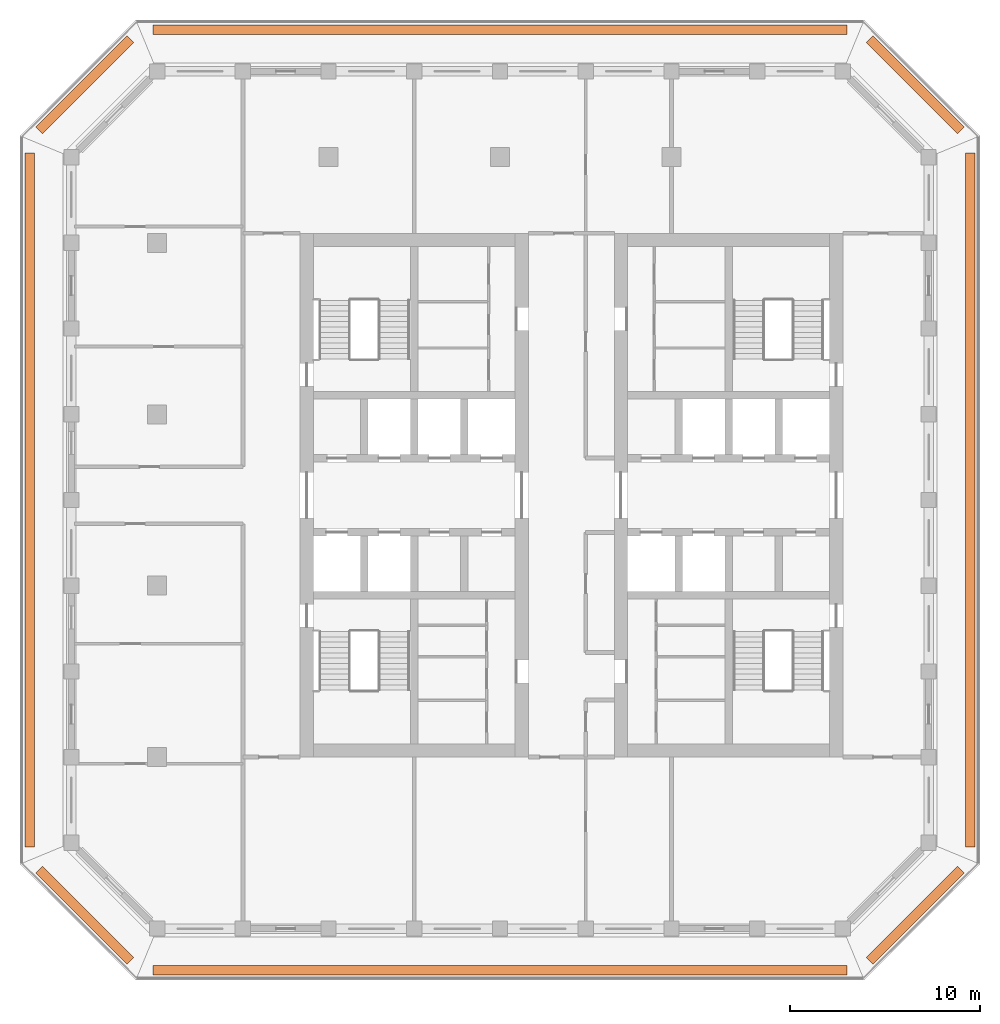
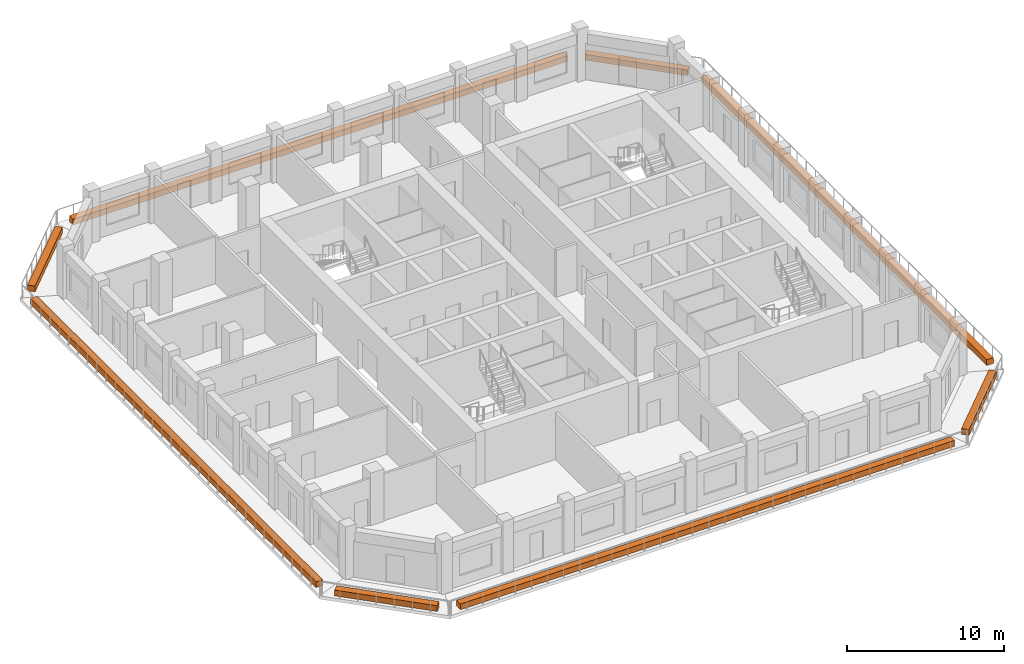
# One storey, part 14 of 14: 8 proxies.
"""IFC4 building model written with IfcOpenShell, lengths in metres."""

from ifc_helpers import new_model, si_unit, direction, frame, origin, origin_2d, place, context, subcontext, project, spatial, rectangle, extrude, material, type_object, element, save


model = new_model("IFC4")

# Units and contexts
model_context = context("Model", 3, precision=1e-05, world=origin(), true_north=direction((0.0, 1.0)))
body_context = subcontext(model_context, "Body", "Model", "MODEL_VIEW")
ifc_project = project(units=[si_unit("LENGTHUNIT", "METRE"), si_unit("AREAUNIT", "SQUARE_METRE"), si_unit("VOLUMEUNIT", "CUBIC_METRE"), si_unit("PLANEANGLEUNIT", "RADIAN"), si_unit("MASSUNIT", "GRAM", prefix="KILO")], contexts=[model_context])

# Site, building, storey
site_placement = place(None, origin())
site = spatial("IfcSite", under=ifc_project, at=site_placement, CompositionType="ELEMENT")
building_placement = place(site_placement, origin())
building = spatial("IfcBuilding", under=site, at=building_placement, Name="Corbel Stack Research Tower", CompositionType="ELEMENT")
storey_placement = place(building_placement, frame((0.0, 0.0, 286.800048828125)))
storey = spatial("IfcBuildingStorey", under=building, at=storey_placement, Name="L65", CompositionType="ELEMENT", Elevation=286.800048828125)

# Proxies
ifc_material = material(Name="Concrete C45/55", Category="concrete")
building_element_proxy_type = type_object("IfcBuildingElementProxyType", Name="Planter box", PredefinedType="USERDEFINED", material=ifc_material)
proxy_1_placement = place(storey_placement, frame((0.0, -20.199951171875, 0.0), z_axis=(0.0, 0.0, 1.0), x_axis=(1.0, 0.0, 0.0)))
element("IfcBuildingElementProxy", 1, at=proxy_1_placement, inside=storey, type_object=building_element_proxy_type, Name="Planter L65 S", ObjectType="PLANTER", PredefinedType="USERDEFINED", context=body_context, shape_type="SweptSolid", body=[
    extrude(rectangle(XDim=36.41064453125, YDim=0.5, at=origin_2d()), origin(), (0.0, 0.0, 1.0), 0.449951171875),
])
proxy_2_placement = place(storey_placement, frame((21.8056640625, -17.3056640625, 0.0), z_axis=(0.0, 0.0, 1.0), x_axis=(0.707106781187, 0.707106781187, 0.0)))
element("IfcBuildingElementProxy", 2, at=proxy_2_placement, inside=storey, type_object=building_element_proxy_type, Name="Planter L65 SE", ObjectType="PLANTER", PredefinedType="USERDEFINED", context=body_context, shape_type="SweptSolid", body=[
    extrude(rectangle(XDim=6.774658203125, YDim=0.5, at=origin_2d()), origin(), (0.0, 0.0, 1.0), 0.449951171875),
])
proxy_3_placement = place(storey_placement, frame((24.699951171875, 4.5, 0.0), z_axis=(0.0, 0.0, 1.0), x_axis=(0.0, 1.0, 0.0)))
element("IfcBuildingElementProxy", 3, at=proxy_3_placement, inside=storey, type_object=building_element_proxy_type, Name="Planter L65 E", ObjectType="PLANTER", PredefinedType="USERDEFINED", context=body_context, shape_type="SweptSolid", body=[
    extrude(rectangle(XDim=36.41064453125, YDim=0.5, at=origin_2d()), origin(), (0.0, 0.0, 1.0), 0.449951171875),
])
proxy_4_placement = place(storey_placement, frame((21.8056640625, 26.3056640625, 0.0), z_axis=(0.0, 0.0, 1.0), x_axis=(-0.707106781187, 0.707106781187, 0.0)))
element("IfcBuildingElementProxy", 4, at=proxy_4_placement, inside=storey, type_object=building_element_proxy_type, Name="Planter L65 NE", ObjectType="PLANTER", PredefinedType="USERDEFINED", context=body_context, shape_type="SweptSolid", body=[
    extrude(rectangle(XDim=6.774658203125, YDim=0.5, at=origin_2d()), origin(), (0.0, 0.0, 1.0), 0.449951171875),
])
proxy_5_placement = place(storey_placement, frame((0.0, 29.199951171875, 0.0), z_axis=(0.0, 0.0, 1.0), x_axis=(-1.0, 0.0, 0.0)))
element("IfcBuildingElementProxy", 5, at=proxy_5_placement, inside=storey, type_object=building_element_proxy_type, Name="Planter L65 N", ObjectType="PLANTER", PredefinedType="USERDEFINED", context=body_context, shape_type="SweptSolid", body=[
    extrude(rectangle(XDim=36.41064453125, YDim=0.5, at=origin_2d()), origin(), (0.0, 0.0, 1.0), 0.449951171875),
])
proxy_6_placement = place(storey_placement, frame((-21.8056640625, 26.3056640625, 0.0), z_axis=(0.0, 0.0, 1.0), x_axis=(-0.707106781187, -0.707106781187, 0.0)))
element("IfcBuildingElementProxy", 6, at=proxy_6_placement, inside=storey, type_object=building_element_proxy_type, Name="Planter L65 NW", ObjectType="PLANTER", PredefinedType="USERDEFINED", context=body_context, shape_type="SweptSolid", body=[
    extrude(rectangle(XDim=6.774658203125, YDim=0.5, at=origin_2d()), origin(), (0.0, 0.0, 1.0), 0.449951171875),
])
proxy_7_placement = place(storey_placement, frame((-24.699951171875, 4.5, 0.0), z_axis=(0.0, 0.0, 1.0), x_axis=(0.0, -1.0, 0.0)))
element("IfcBuildingElementProxy", 7, at=proxy_7_placement, inside=storey, type_object=building_element_proxy_type, Name="Planter L65 W", ObjectType="PLANTER", PredefinedType="USERDEFINED", context=body_context, shape_type="SweptSolid", body=[
    extrude(rectangle(XDim=36.41064453125, YDim=0.5, at=origin_2d()), origin(), (0.0, 0.0, 1.0), 0.449951171875),
])
proxy_8_placement = place(storey_placement, frame((-21.8056640625, -17.3056640625, 0.0), z_axis=(0.0, 0.0, 1.0), x_axis=(0.707106781187, -0.707106781187, 0.0)))
element("IfcBuildingElementProxy", 8, at=proxy_8_placement, inside=storey, type_object=building_element_proxy_type, Name="Planter L65 SW", ObjectType="PLANTER", PredefinedType="USERDEFINED", context=body_context, shape_type="SweptSolid", body=[
    extrude(rectangle(XDim=6.774658203125, YDim=0.5, at=origin_2d()), origin(), (0.0, 0.0, 1.0), 0.449951171875),
])

save(model, "model.ifc")
